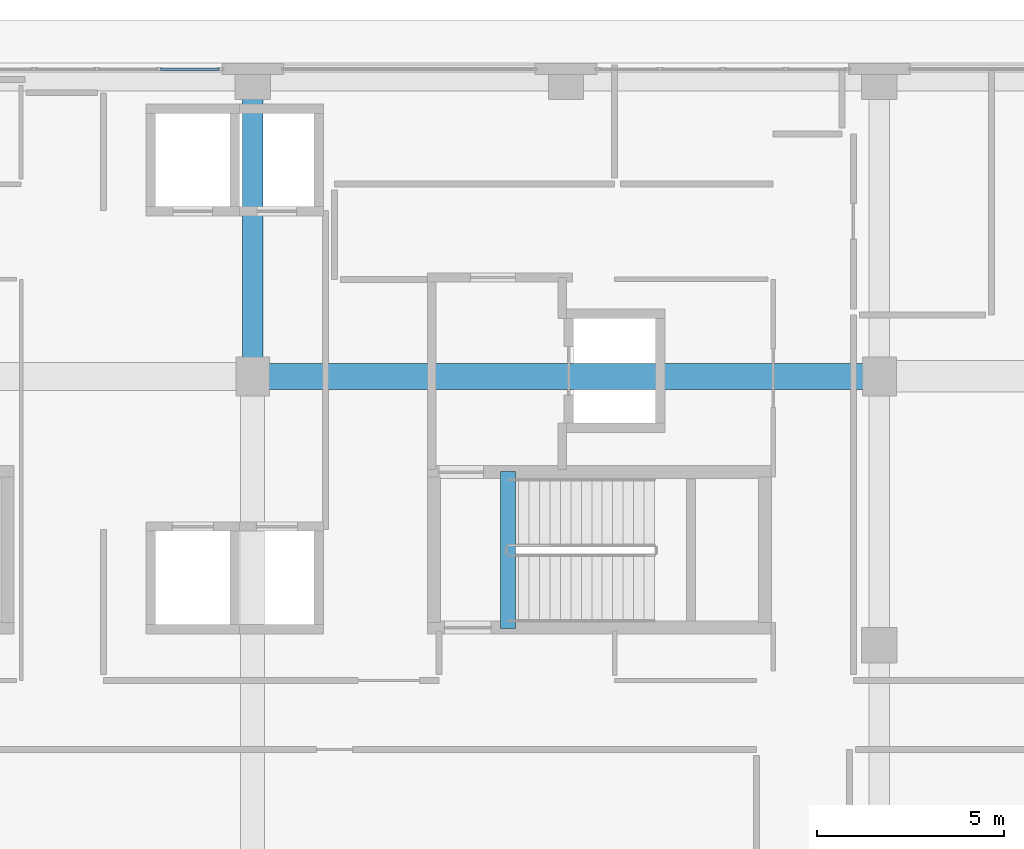
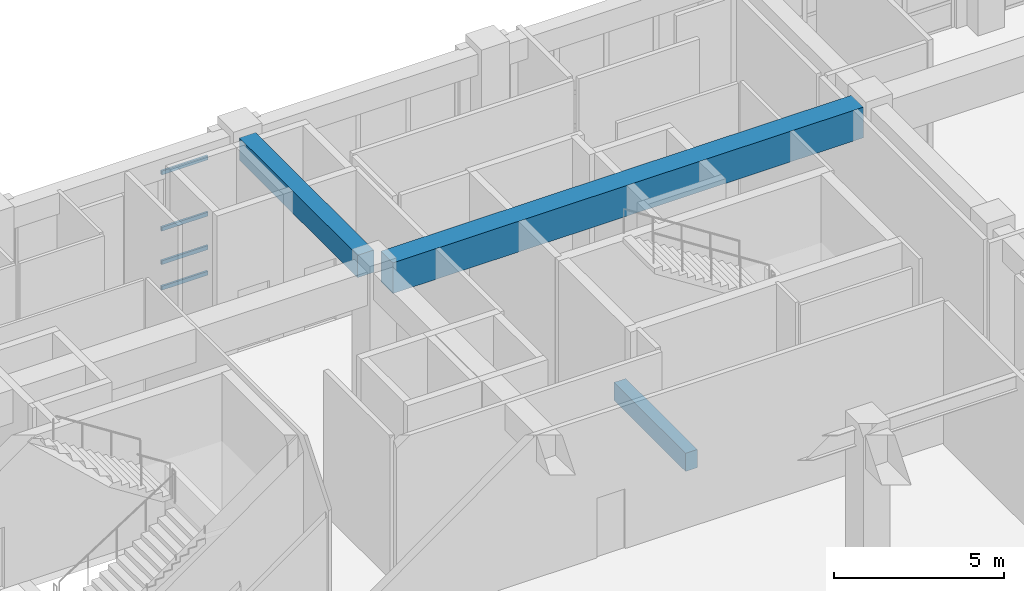
# One storey, part 60 of 148: 4 members, 3 beams, 1 element without a shape of its own.
"""IFC4 building model written with IfcOpenShell, lengths in metres."""

from ifc_helpers import new_model, si_unit, direction, frame, origin, origin_2d, place, context, subcontext, project, spatial, rectangle, hollow_rectangle, extrude, material, layer, layer_set, material_profile, profile_set, type_object, element, aggregate, save


model = new_model("IFC4")

# Units and contexts
model_context = context("Model", 3, precision=1e-05, world=origin(), true_north=direction((0.0, 1.0)))
body_context = subcontext(model_context, "Body", "Model", "MODEL_VIEW")
ifc_project = project(units=[si_unit("LENGTHUNIT", "METRE"), si_unit("AREAUNIT", "SQUARE_METRE"), si_unit("VOLUMEUNIT", "CUBIC_METRE"), si_unit("PLANEANGLEUNIT", "RADIAN"), si_unit("MASSUNIT", "GRAM", prefix="KILO")], contexts=[model_context])

# Site, building, storey
site_placement = place(None, origin())
site = spatial("IfcSite", under=ifc_project, at=site_placement, CompositionType="ELEMENT")
building_placement = place(site_placement, origin())
building = spatial("IfcBuilding", under=site, at=building_placement, Name="Quendrovan Civic Courthouse", CompositionType="ELEMENT")
storey_placement = place(building_placement, origin())
storey = spatial("IfcBuildingStorey", under=building, at=storey_placement, Name="L01", CompositionType="ELEMENT", Elevation=0.0)

# Beams
ifc_material_1 = material(Name="Post-tensioned concrete C50/60", Category="concrete")
ifc_material_profile_1 = material_profile(ifc_material_1, rectangle(XDim=0.699951171875, YDim=1.10009765625, at=origin_2d()), Name="PT-GIRD-700x1100")
ifc_profile_set_1 = profile_set([ifc_material_profile_1], Name="Post-tensioned concrete C50/60")
beam_type_1 = type_object("IfcBeamType", Name="BM-PT1100", PredefinedType="BEAM", material=ifc_profile_set_1)
beam_1_placement = place(storey_placement, frame((50.830078125, 102.0, 4.570068359375), z_axis=(1.0, 0.0, 0.0), x_axis=(0.0, 1.0, 0.0)))
element("IfcBeam", 1, at=beam_1_placement, inside=storey, type_object=beam_type_1, Name="L01 Girder X0342", PredefinedType="BEAM", context=body_context, shape_type="SweptSolid", body=[
    extrude(rectangle(XDim=0.699951171875, YDim=1.10009765625, at=origin_2d()), origin(), (0.0, 0.0, 1.0), 15.93994140625),
])
ifc_material_2 = material(Name="Concrete C40/50", Category="concrete")
ifc_material_profile_2 = material_profile(ifc_material_2, rectangle(XDim=0.39990234375, YDim=0.64990234375, at=origin_2d()), Name="RC-BM-400x650")
ifc_profile_set_2 = profile_set([ifc_material_profile_2], Name="Concrete C40/50")
beam_type_2 = type_object("IfcBeamType", Name="BM-RC650", PredefinedType="JOIST", material=ifc_profile_set_2)
beam_2_placement = place(storey_placement, frame((57.25, 95.25, -0.324951171875), z_axis=(0.0, 1.0, 0.0), x_axis=(-1.0, 0.0, 0.0)))
element("IfcBeam", 2, at=beam_2_placement, inside=storey, type_object=beam_type_2, Name="L01 Stair ST2 Landing Trimmer Beam", PredefinedType="JOIST", context=body_context, shape_type="SweptSolid", body=[
    extrude(rectangle(XDim=0.39990234375, YDim=0.64990234375, at=origin_2d()), origin(), (0.0, 0.0, 1.0), 4.199951171875),
])
ifc_material_profile_3 = material_profile(ifc_material_2, rectangle(XDim=0.550048828125, YDim=0.800048828125, at=origin_2d()), Name="RC-BM-550x800")
ifc_profile_set_3 = profile_set([ifc_material_profile_3], Name="Concrete C40/50")
beam_type_3 = type_object("IfcBeamType", Name="BM-RC800", PredefinedType="BEAM", material=ifc_profile_set_3)
beam_3_placement = place(storey_placement, frame((50.39990234375, 102.5048828125, 4.719970703125), z_axis=(0.0, 1.0, 0.0), x_axis=(-1.0, 0.0, 0.0)))
element("IfcBeam", 3, at=beam_3_placement, inside=storey, type_object=beam_type_3, Name="L01 Girder Y0421", PredefinedType="BEAM", context=body_context, shape_type="SweptSolid", body=[
    extrude(rectangle(XDim=0.550048828125, YDim=0.800048828125, at=origin_2d()), origin(), (0.0, 0.0, 1.0), 6.940185546875),
])

# Curtain wall, members
ifc_material_3 = material(Name="Bronze anodised aluminium and low-E glass", Category="aluminium")
ifc_layer = layer(ifc_material_3, 0.179931640625, Name="Bronze anodised aluminium and low-E glass")
ifc_layer_set = layer_set([ifc_layer], Name="Bronze anodised aluminium and low-E glass")
curtain_wall_type = type_object("IfcCurtainWallType", Name="CW-U67x42", PredefinedType="USERDEFINED", material=ifc_layer_set)
curtain_wall_placement = place(storey_placement, origin())
curtain_wall = element("IfcCurtainWall", 4, at=curtain_wall_placement, inside=storey, type_object=curtain_wall_type, Name="L01 Unitised Hurricane Curtain Wall CW-026", ObjectType="UNITISED CURTAIN WALL", PredefinedType="USERDEFINED")
ifc_material_4 = material(Name="Bronze anodised aluminium", Category="aluminium")
ifc_material_profile_4 = material_profile(ifc_material_4, hollow_rectangle(XDim=0.070068359375, YDim=0.139892578125, WallThickness=0.00390625, at=origin_2d()), Name="CW-TRAN-70x140")
ifc_profile_set_4 = profile_set([ifc_material_profile_4], Name="Bronze anodised aluminium")
member_type = type_object("IfcMemberType", Name="CW-TRAN-A", PredefinedType="USERDEFINED", material=ifc_profile_set_4)
member_1_placement = place(storey_placement, frame((47.93505859375, 110.235107421875, 0.034912109375), z_axis=(1.0, 0.0, 0.0), x_axis=(0.0, 1.0, 0.0)))
member_1 = element("IfcMember", 5, at=member_1_placement, type_object=member_type, Name="CW-026 transom 4.1", ObjectType="TRANSOM", PredefinedType="USERDEFINED", context=body_context, shape_type="SweptSolid", body=[
    extrude(hollow_rectangle(XDim=0.070068359375, YDim=0.139892578125, WallThickness=0.00390625, at=origin_2d()), origin(), (0.0, 0.0, 1.0), 1.56982421875),
])
member_2_placement = place(storey_placement, frame((47.93505859375, 110.235107421875, 0.949951171875), z_axis=(1.0, 0.0, 0.0), x_axis=(0.0, 1.0, 0.0)))
member_2 = element("IfcMember", 6, at=member_2_placement, type_object=member_type, Name="CW-026 transom 4.2", ObjectType="TRANSOM", PredefinedType="USERDEFINED", context=body_context, shape_type="SweptSolid", body=[
    extrude(hollow_rectangle(XDim=0.070068359375, YDim=0.139892578125, WallThickness=0.00390625, at=origin_2d()), origin(), (0.0, 0.0, 1.0), 1.56982421875),
])
member_3_placement = place(storey_placement, frame((47.93505859375, 110.235107421875, 2.14990234375), z_axis=(1.0, 0.0, 0.0), x_axis=(0.0, 1.0, 0.0)))
member_3 = element("IfcMember", 7, at=member_3_placement, type_object=member_type, Name="CW-026 transom 4.3", ObjectType="TRANSOM", PredefinedType="USERDEFINED", context=body_context, shape_type="SweptSolid", body=[
    extrude(hollow_rectangle(XDim=0.070068359375, YDim=0.139892578125, WallThickness=0.00390625, at=origin_2d()), origin(), (0.0, 0.0, 1.0), 1.56982421875),
])
member_4_placement = place(storey_placement, frame((47.93505859375, 110.235107421875, 4.1650390625), z_axis=(1.0, 0.0, 0.0), x_axis=(0.0, 1.0, 0.0)))
member_4 = element("IfcMember", 8, at=member_4_placement, type_object=member_type, Name="CW-026 transom 4.4", ObjectType="TRANSOM", PredefinedType="USERDEFINED", context=body_context, shape_type="SweptSolid", body=[
    extrude(hollow_rectangle(XDim=0.070068359375, YDim=0.139892578125, WallThickness=0.00390625, at=origin_2d()), origin(), (0.0, 0.0, 1.0), 1.56982421875),
])
aggregate(curtain_wall, [member_1, member_2, member_3, member_4])

save(model, "model.ifc")
